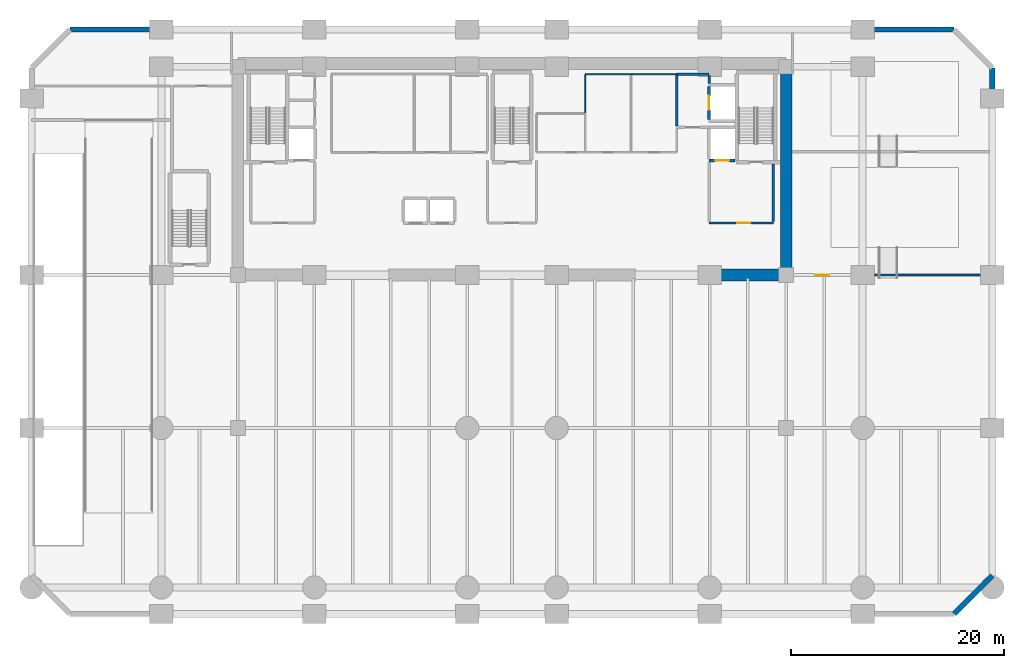
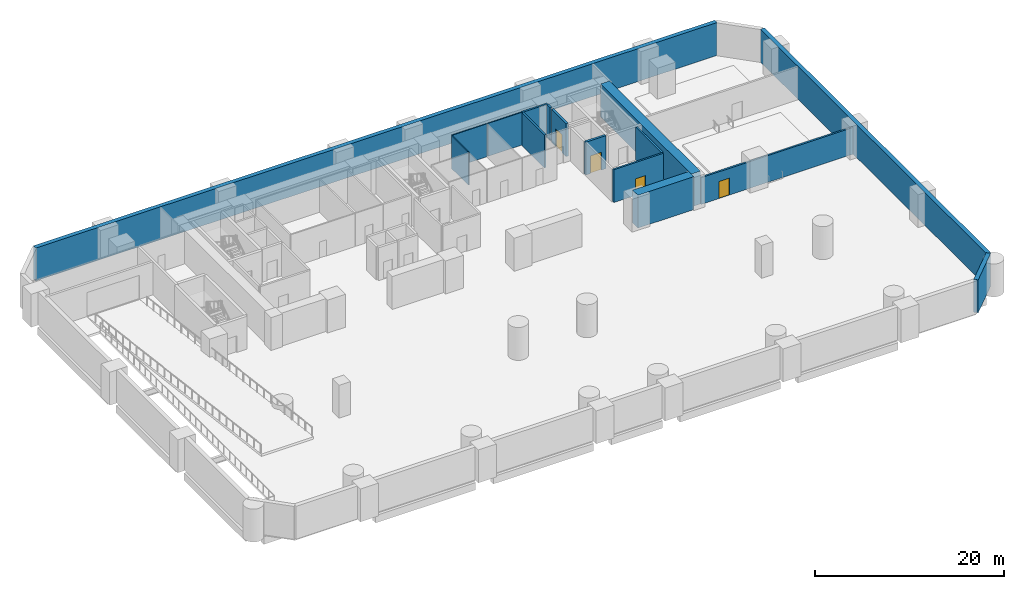
# One storey, part 5 of 9: 16 walls, 4 doors, 4 openings.
"""IFC4 building model written with IfcOpenShell, lengths in metres."""

import ifcopenshell
import ifcopenshell.guid

model = None  # the IFC model being written
_history = None  # IfcOwnerHistory: only IFC2X3 demands one
_inside = {}  # id of a spatial element -> (the spatial element, [elements in it])
_under = {}  # id of a project, library or spatial element -> (it, [spatial elements below it])
_declared = {}  # id of a project -> (the project, [libraries it declares])
_typed = {}  # id of a type object -> (the type object, [elements of that type])
_made_of = {}  # id of a material, layer set ... -> (it, [elements and type objects made of it])


def new_model(schema):
    """Start an empty IFC model of exactly this schema.

    Asked for "IFC4X3", IfcOpenShell would pick the latest addendum, in which some entities
    have other attributes; the version numbers below select the first issue.
    IFC2X3 requires an IfcOwnerHistory on every rooted entity: one is made here for all.
    """
    global model, _history
    if schema == "IFC4X3":
        model = ifcopenshell.file(schema_version=(4, 3, 0, 0))
    else:
        model = ifcopenshell.file(schema=schema)
    _inside.clear()
    _under.clear()
    _declared.clear()
    _typed.clear()
    _made_of.clear()
    _history = None
    if model.schema == "IFC2X3":
        org = make("IfcOrganization", Name="unknown")
        user = make(
            "IfcPersonAndOrganization",
            ThePerson=make("IfcPerson", FamilyName="unknown"),
            TheOrganization=org,
        )
        app = make(
            "IfcApplication",
            ApplicationDeveloper=org,
            Version="unknown",
            ApplicationFullName="unknown",
            ApplicationIdentifier="unknown",
        )
        _history = make(
            "IfcOwnerHistory",
            OwningUser=user,
            OwningApplication=app,
            ChangeAction="ADDED",
            CreationDate=0,
        )
    return model


def make(cls, **values):
    """One entity of the class cls with the attributes given. An attribute that is None is left unset."""
    return model.create_entity(
        cls, **{name: value for name, value in values.items() if value is not None}
    )


def rooted(cls, **values):
    """An entity with a GlobalId (a new one), such as an element, a storey or a relation."""
    return make(cls, GlobalId=ifcopenshell.guid.new(), OwnerHistory=_history, **values)


def si_unit(unit_type, name, prefix=None):
    """IfcSIUnit, for example si_unit("LENGTHUNIT", "METRE", prefix="MILLI")."""
    return make("IfcSIUnit", UnitType=unit_type, Prefix=prefix, Name=name)


def assignment(units):
    """IfcUnitAssignment: the units of a project."""
    return None if units is None else make("IfcUnitAssignment", Units=units)


def point(xyz):
    """IfcCartesianPoint."""
    return None if xyz is None else make("IfcCartesianPoint", Coordinates=xyz)


def direction(xyz):
    """IfcDirection."""
    return None if xyz is None else make("IfcDirection", DirectionRatios=xyz)


def frame(location, z_axis=None, x_axis=None):
    """IfcAxis2Placement3D, a coordinate frame: its origin and axes. An axis left out is left unset."""
    return make(
        "IfcAxis2Placement3D",
        Location=point(location),
        Axis=direction(z_axis),
        RefDirection=direction(x_axis),
    )


def frame_2d(location, x_axis=None):
    """IfcAxis2Placement2D, a coordinate frame in the plane: its origin and x axis."""
    return make(
        "IfcAxis2Placement2D", Location=point(location), RefDirection=direction(x_axis)
    )


def origin():
    """The frame at (0, 0, 0) with its axes left unset."""
    return frame((0.0, 0.0, 0.0))


def place(relative_to, where):
    """IfcLocalPlacement: puts the frame where relative to a parent placement (None: the world)."""
    return make(
        "IfcLocalPlacement", PlacementRelTo=relative_to, RelativePlacement=where
    )


def context(
    kind, dimensions, precision=None, world=None, true_north=None, identifier=None
):
    """IfcGeometricRepresentationContext, for example the 3D "Model" context."""
    return make(
        "IfcGeometricRepresentationContext",
        ContextIdentifier=identifier,
        ContextType=kind,
        CoordinateSpaceDimension=dimensions,
        Precision=precision,
        WorldCoordinateSystem=world,
        TrueNorth=true_north,
    )


def subcontext(parent, identifier, kind, view, scale=None):
    """IfcGeometricRepresentationSubContext, for example "Body" below "Model"."""
    return make(
        "IfcGeometricRepresentationSubContext",
        ContextIdentifier=identifier,
        ContextType=kind,
        ParentContext=parent,
        TargetScale=scale,
        TargetView=view,
    )


def project(units=None, contexts=None):
    """IfcProject with its units and contexts."""
    return rooted(
        "IfcProject",
        Name="project",
        RepresentationContexts=contexts,
        UnitsInContext=assignment(units),
    )


def spatial(cls, under=None, at=None, **own):
    """A site, building, storey or space (cls), placed at a placement, below another one or the project."""
    s = rooted(cls, ObjectPlacement=at, **own)
    if under is not None:
        _under.setdefault(under.id(), (under, []))[1].append(s)
    return s


def profile(cls, at=None, kind="AREA", **sizes):
    """A parametric profile (cls). Its sizes go by their IFC names, for example OverallWidth=200.0."""
    return make(cls, ProfileType=kind, Position=at, **sizes)


def rectangle(**sizes):
    """IfcRectangleProfileDef."""
    return profile("IfcRectangleProfileDef", **sizes)


def extrude(swept, where, along, depth):
    """IfcExtrudedAreaSolid: the profile swept, set in the frame where, extruded along a direction by depth."""
    return make(
        "IfcExtrudedAreaSolid",
        SweptArea=swept,
        Position=where,
        ExtrudedDirection=direction(along),
        Depth=depth,
    )


def shape(context_of_items, identifier, shape_type, items):
    """IfcShapeRepresentation: the items that make up one representation, for example the "Body"."""
    return make(
        "IfcShapeRepresentation",
        ContextOfItems=context_of_items,
        RepresentationIdentifier=identifier,
        RepresentationType=shape_type,
        Items=items,
    )


def material(Name=None, Category=None):
    """IfcMaterial."""
    return make("IfcMaterial", Name=Name, Category=Category)


def layer(
    of_material, thickness, ventilated=None, Name=None, Category=None, Priority=None
):
    """IfcMaterialLayer: one layer of a wall or slab, of a material (None: an air gap)."""
    return make(
        "IfcMaterialLayer",
        Material=of_material,
        LayerThickness=thickness,
        IsVentilated=ventilated,
        Name=Name,
        Category=Category,
        Priority=Priority,
    )


def layer_set(layers, Name=None):
    """IfcMaterialLayerSet."""
    return make("IfcMaterialLayerSet", MaterialLayers=layers, LayerSetName=Name)


def made_of(thing, what):
    """Note that an element or type object is made of a material, layer set ...; save() writes the relation."""
    if what is not None:
        _made_of.setdefault(what.id(), (what, []))[1].append(thing)
    return thing


def type_object(cls, material=None, **own):
    """A type object (cls), such as IfcWallType, which elements share."""
    return made_of(rooted(cls, **own), material)


def element(
    cls,
    number,
    at=None,
    inside=None,
    cuts=None,
    type_object=None,
    material=None,
    context=None,
    identifier="Body",
    shape_type=None,
    held_by="IfcProductDefinitionShape",
    body=None,
    shapes=None,
    **own,
):
    """One element of the class cls, such as IfcWall. Its Tag is "e" and its number.

    at: its placement. inside: the storey or other place that contains it. cuts: it is an
    opening in that element (IfcRelVoidsElement). A single representation is given by context,
    identifier, shape_type and body (its items); several are given by shapes. held_by: the class
    of the entity that holds the representations. save() writes the other relations.
    """
    e = rooted(cls, Tag="e%d" % number, ObjectPlacement=at, **own)
    if body is not None:
        shapes = [shape(context, identifier, shape_type, body)]
    if shapes is not None:
        e.Representation = make(held_by, Representations=shapes)
    if inside is not None:
        _inside.setdefault(inside.id(), (inside, []))[1].append(e)
    if cuts is not None:
        rooted(
            "IfcRelVoidsElement", RelatingBuildingElement=cuts, RelatedOpeningElement=e
        )
    if type_object is not None:
        _typed.setdefault(type_object.id(), (type_object, []))[1].append(e)
    return made_of(e, material)


def fill(opening, filler):
    """IfcRelFillsElement: the door or window that sits in an opening."""
    return rooted(
        "IfcRelFillsElement",
        RelatingOpeningElement=opening,
        RelatedBuildingElement=filler,
    )


def aggregate(whole, parts):
    """IfcRelAggregates: a whole, such as a stair, and the parts it consists of."""
    return rooted("IfcRelAggregates", RelatingObject=whole, RelatedObjects=parts)


def save(model, path):
    """Write the relations noted so far, then the file.

    IfcRelAggregates (storeys below a building ...), IfcRelContainedInSpatialStructure (elements
    in a storey), IfcRelDefinesByType, IfcRelAssociatesMaterial and IfcRelDeclares: one each for
    every whole, place, type object, material and project.
    """
    for whole, parts in _under.values():
        aggregate(whole, parts)
    for where, things in _inside.values():
        rooted(
            "IfcRelContainedInSpatialStructure",
            RelatedElements=things,
            RelatingStructure=where,
        )
    for kind, things in _typed.values():
        rooted("IfcRelDefinesByType", RelatedObjects=things, RelatingType=kind)
    for what, things in _made_of.values():
        rooted("IfcRelAssociatesMaterial", RelatedObjects=things, RelatingMaterial=what)
    for by, libraries in _declared.values():
        rooted("IfcRelDeclares", RelatingContext=by, RelatedDefinitions=libraries)
    model.write(path)


model = new_model("IFC4")

# Units and contexts
model_context = context("Model", 3, precision=1e-05, world=origin(), true_north=direction((0.0, 1.0)))
body_context = subcontext(model_context, "Body", "Model", "MODEL_VIEW")
ifc_project = project(units=[si_unit("LENGTHUNIT", "METRE"), si_unit("AREAUNIT", "SQUARE_METRE"), si_unit("VOLUMEUNIT", "CUBIC_METRE"), si_unit("PLANEANGLEUNIT", "RADIAN"), si_unit("MASSUNIT", "GRAM", prefix="KILO")], contexts=[model_context])

# Site, building, storey
site_placement = place(None, origin())
site = spatial("IfcSite", under=ifc_project, at=site_placement, CompositionType="ELEMENT")
building_placement = place(site_placement, origin())
building = spatial("IfcBuilding", under=site, at=building_placement, Name="Kaelvorn Grand Hotel", CompositionType="ELEMENT")
storey_placement = place(building_placement, frame((0.0, 0.0, -4.60009765625)))
storey = spatial("IfcBuildingStorey", under=building, at=storey_placement, Name="B01", CompositionType="ELEMENT", Elevation=-4.60009765625)

# Walls
ifc_material_1 = material(Name="Concrete C80/95", Category="concrete")
ifc_layer_1 = layer(ifc_material_1, 1.10009765625)
ifc_layer_set_1 = layer_set([ifc_layer_1], Name="Concrete C80/95")
wall_type_1 = type_object("IfcWallType", Name="WL-CORE-1100-C80", PredefinedType="SHEAR", material=ifc_layer_set_1)
wall_1_placement = place(storey_placement, frame((67.800048828125, 29.39990234375, 0.0), z_axis=(0.0, 0.0, 1.0), x_axis=(0.0, 1.0, 0.0)))
element("IfcWall", 1, at=wall_1_placement, inside=storey, type_object=wall_type_1, Name="B01 Rear-Core East Shear Wall", PredefinedType="SHEAR", context=body_context, shape_type="SweptSolid", body=[
    extrude(rectangle(XDim=19.2001953125, YDim=1.10009765625, at=frame_2d((9.60009765625, 0.0))), origin(), (0.0, 0.0, 1.0), 4.25),
])
wall_2_placement = place(storey_placement, frame((60.39990234375, 29.39990234375, 0.0), z_axis=(0.0, 0.0, 1.0), x_axis=(1.0, 0.0, 0.0)))
element("IfcWall", 2, at=wall_2_placement, inside=storey, type_object=wall_type_1, Name="B01 Rear-Core Coupled Shear Pier S4", PredefinedType="SHEAR", context=body_context, shape_type="SweptSolid", body=[
    extrude(rectangle(XDim=6.84521484375, YDim=1.10009765625, at=frame_2d((3.422607421875, 0.0))), origin(), (0.0, 0.0, 1.0), 4.25),
])
ifc_material_2 = material(Name="Moisture-Resistant Tile & Stud Board")
ifc_layer_2 = layer(ifc_material_2, 0.125)
ifc_layer_set_2 = layer_set([ifc_layer_2], Name="Moisture-Resistant Tile & Stud Board")
wall_type_2 = type_object("IfcWallType", Name="WL-PART-125-WET", PredefinedType="PARTITIONING", material=ifc_layer_set_2)
wall_3_placement = place(storey_placement, frame((48.89990234375, 48.300048828125, 0.0), z_axis=(0.0, 0.0, 1.0), x_axis=(1.0, 0.0, 0.0)))
element("IfcWall", 3, at=wall_3_placement, inside=storey, type_object=wall_type_2, Name="B01 Male Public Toilets N Partition", PredefinedType="PARTITIONING", context=body_context, shape_type="SweptSolid", body=[
    extrude(rectangle(XDim=4.300048828125, YDim=0.125, at=frame_2d((2.14990234375, 0.0))), origin(), (0.0, 0.0, 1.0), 4.25),
])
wall_4_placement = place(storey_placement, frame((48.89990234375, 44.66748046875, 0.0), z_axis=(0.0, 0.0, 1.0), x_axis=(0.0, 1.0, 0.0)))
element("IfcWall", 4, at=wall_4_placement, inside=storey, type_object=wall_type_2, Name="B01 Male Public Toilets W Partition", PredefinedType="PARTITIONING", context=body_context, shape_type="SweptSolid", body=[
    extrude(rectangle(XDim=3.56494140625, YDim=0.125, at=frame_2d((1.782470703125, 0.0))), origin(), (0.0, 0.0, 1.0), 4.25),
])
wall_5_placement = place(storey_placement, frame((53.267578125, 48.300048828125, 0.0), z_axis=(0.0, 0.0, 1.0), x_axis=(1.0, 0.0, 0.0)))
element("IfcWall", 5, at=wall_5_placement, inside=storey, type_object=wall_type_2, Name="B01 Female Public Toilets N Partition", PredefinedType="PARTITIONING", context=body_context, shape_type="SweptSolid", body=[
    extrude(rectangle(XDim=4.222412109375, YDim=0.125, at=frame_2d((2.111328125, 0.0))), origin(), (0.0, 0.0, 1.0), 4.25),
])

# Wall, opening, door
ifc_material_3 = material(Name="Concrete C40/50", Category="concrete")
ifc_layer_3 = layer(ifc_material_3, 0.219970703125)
ifc_layer_set_3 = layer_set([ifc_layer_3], Name="Concrete C40/50")
wall_type_3 = type_object("IfcWallType", Name="WL-PART-220-EI120", PredefinedType="PARTITIONING", material=ifc_layer_set_3)
wall_6_placement = place(storey_placement, frame((60.550048828125, 34.300048828125, 0.0), z_axis=(0.0, 0.0, 1.0), x_axis=(1.0, 0.0, 0.0)))
wall_6 = element("IfcWall", 6, at=wall_6_placement, inside=storey, type_object=wall_type_3, Name="B01 Firefighting Lift Lobby 2 S Partition", PredefinedType="PARTITIONING", context=body_context, shape_type="SweptSolid", body=[
    extrude(rectangle(XDim=6.050048828125, YDim=0.219970703125, at=frame_2d((3.02490234375, 0.0))), origin(), (0.0, 0.0, 1.0), 4.25),
])
opening_1_placement = place(wall_6_placement, frame((2.64990234375, 0.0, 0.0)))
opening_1 = element("IfcOpeningElement", 7, at=opening_1_placement, cuts=wall_6, Name="Opening DI2", PredefinedType="OPENING", context=body_context, shape_type="SweptSolid", body=[
    extrude(rectangle(XDim=1.199951171875, YDim=2.14990234375, at=frame_2d((0.60009765625, 1.074951171875))), frame((0.0, 0.1201171875, 0.0), z_axis=(0.0, -1.0, 0.0), x_axis=(1.0, 0.0, 0.0)), (0.0, 0.0, 1.0), 0.239990234375),
])
ifc_material_4 = material(Name="Timber Veneer Fire Leaf", Category="wood")
door_type_1 = type_object("IfcDoorType", Name="DR-INT-FFLOB-1200x2150", OperationType="NOTDEFINED", PredefinedType="DOOR", material=ifc_material_4)
door_1_placement = place(opening_1_placement, origin())
door_1 = element("IfcDoor", 8, at=door_1_placement, inside=storey, type_object=door_type_1, Name="B01 Firefighting Lift Lobby 2 Door", OperationType="SINGLE_SWING_LEFT", OverallHeight=2.14990234375, OverallWidth=1.199951171875, PredefinedType="DOOR", context=body_context, shape_type="SweptSolid", body=[
    extrude(rectangle(XDim=1.199951171875, YDim=2.14990234375, at=frame_2d((0.60009765625, 1.074951171875))), frame((0.0, 0.02490234375, 0.0), z_axis=(0.0, -1.0, 0.0), x_axis=(1.0, 0.0, 0.0)), (0.0, 0.0, 1.0), 0.050048828125),
])
fill(opening_1, door_1)

# Walls
wall_7_placement = place(storey_placement, frame((66.60009765625, 34.4150390625, 0.0), z_axis=(0.0, 0.0, 1.0), x_axis=(0.0, 1.0, 0.0)))
element("IfcWall", 9, at=wall_7_placement, inside=storey, type_object=wall_type_3, Name="B01 Firefighting Lift Lobby 2 E Partition", PredefinedType="PARTITIONING", context=body_context, shape_type="SweptSolid", body=[
    extrude(rectangle(XDim=5.429931640625, YDim=0.219970703125, at=frame_2d((2.71484375, 0.0))), origin(), (0.0, 0.0, 1.0), 4.25),
])
wall_8_placement = place(storey_placement, frame((57.5, 48.300048828125, 0.0), z_axis=(0.0, 0.0, 1.0), x_axis=(1.0, 0.0, 0.0)))
element("IfcWall", 10, at=wall_8_placement, inside=storey, type_object=wall_type_3, Name="B01 Service Lift Lobby N Partition", PredefinedType="PARTITIONING", context=body_context, shape_type="SweptSolid", body=[
    extrude(rectangle(XDim=3.050048828125, YDim=0.219970703125, at=frame_2d((1.52490234375, 0.0))), origin(), (0.0, 0.0, 1.0), 4.25),
])
wall_9_placement = place(storey_placement, frame((57.5, 43.4150390625, 0.0), z_axis=(0.0, 0.0, 1.0), x_axis=(0.0, 1.0, 0.0)))
element("IfcWall", 11, at=wall_9_placement, inside=storey, type_object=wall_type_3, Name="B01 Service Lift Lobby W Partition", PredefinedType="PARTITIONING", context=body_context, shape_type="SweptSolid", body=[
    extrude(rectangle(XDim=4.77001953125, YDim=0.219970703125, at=frame_2d((2.385009765625, 0.0))), origin(), (0.0, 0.0, 1.0), 4.25),
])
wall_10_placement = place(storey_placement, frame((60.550048828125, 47.445068359375, 0.0), z_axis=(0.0, 0.0, 1.0), x_axis=(0.0, 1.0, 0.0)))
element("IfcWall", 12, at=wall_10_placement, inside=storey, type_object=wall_type_3, Name="B01 Service Lift Lobby E Partition", PredefinedType="PARTITIONING", context=body_context, shape_type="SweptSolid", body=[
    extrude(rectangle(XDim=0.739990234375, YDim=0.219970703125, at=frame_2d((0.3701171875, 0.0))), origin(), (0.0, 0.0, 1.0), 4.25),
])

# Wall, opening, door
wall_11_placement = place(storey_placement, frame((68.39990234375, 29.39990234375, 0.0), z_axis=(0.0, 0.0, 1.0), x_axis=(1.0, 0.0, 0.0)))
wall_11 = element("IfcWall", 13, at=wall_11_placement, inside=storey, type_object=wall_type_3, Name="B01 Dual 11kV Electrical Substation & Switchroom S Partition", PredefinedType="PARTITIONING", context=body_context, shape_type="SweptSolid", body=[
    extrude(rectangle(XDim=18.545166015625, YDim=0.219970703125, at=frame_2d((9.2724609375, 0.0))), origin(), (0.0, 0.0, 1.0), 3.4501953125),
])
opening_2_placement = place(wall_11_placement, frame((2.14990234375, 0.0, 0.0)))
opening_2 = element("IfcOpeningElement", 14, at=opening_2_placement, cuts=wall_11, Name="Opening DI6", PredefinedType="OPENING", context=body_context, shape_type="SweptSolid", body=[
    extrude(rectangle(XDim=1.300048828125, YDim=2.199951171875, at=frame_2d((0.64990234375, 1.10009765625))), frame((0.0, 0.1201171875, 0.0), z_axis=(0.0, -1.0, 0.0), x_axis=(1.0, 0.0, 0.0)), (0.0, 0.0, 1.0), 0.239990234375),
])
ifc_material_5 = material(Name="Powder-Coated Steel Leaf", Category="steel")
door_type_2 = type_object("IfcDoorType", Name="DR-INT-PLANT-1300x2200", OperationType="DOUBLE_DOOR_SINGLE_SWING", PredefinedType="DOOR", material=ifc_material_5)
door_2_placement = place(opening_2_placement, origin())
door_2 = element("IfcDoor", 15, at=door_2_placement, inside=storey, type_object=door_type_2, Name="B01 Dual 11kV Electrical Substation & Switchroom Door", OperationType="DOUBLE_DOOR_SINGLE_SWING", OverallHeight=2.199951171875, OverallWidth=1.300048828125, PredefinedType="DOOR", context=body_context, shape_type="SweptSolid", body=[
    extrude(rectangle(XDim=1.300048828125, YDim=2.199951171875, at=frame_2d((0.64990234375, 1.10009765625))), frame((0.0, 0.02490234375, 0.0), z_axis=(0.0, -1.0, 0.0), x_axis=(1.0, 0.0, 0.0)), (0.0, 0.0, 1.0), 0.050048828125),
])
fill(opening_2, door_2)

# Walls
ifc_material_6 = material(Name="Concrete C50/60", Category="concrete")
ifc_layer_4 = layer(ifc_material_6, 0.5)
ifc_layer_set_4 = layer_set([ifc_layer_4], Name="Concrete C50/60")
wall_type_4 = type_object("IfcWallType", Name="WL-RET-500-C50", PredefinedType="USERDEFINED", material=ifc_layer_set_4)
wall_12_placement = place(storey_placement, frame((83.60009765625, -2.5, 0.0), z_axis=(0.0, 0.0, 1.0), x_axis=(0.707082803744, 0.707130757816, 0.0)))
element("IfcWall", 16, at=wall_12_placement, inside=storey, type_object=wall_type_4, Name="B01 Perimeter Tanked Retaining Wall 02", ObjectType="RETAININGWALL", PredefinedType="USERDEFINED", context=body_context, shape_type="SweptSolid", body=[
    extrude(rectangle(XDim=5.091064453125, YDim=0.5, at=frame_2d((2.54541015625, 0.0))), origin(), (0.0, 0.0, 1.0), 4.25),
])
wall_13_placement = place(storey_placement, frame((87.199951171875, 1.10009765625, 0.0), z_axis=(0.0, 0.0, 1.0), x_axis=(0.0, 1.0, 0.0)))
element("IfcWall", 17, at=wall_13_placement, inside=storey, type_object=wall_type_4, Name="B01 Perimeter Tanked Retaining Wall 03", ObjectType="RETAININGWALL", PredefinedType="USERDEFINED", context=body_context, shape_type="SweptSolid", body=[
    extrude(rectangle(XDim=47.7998046875, YDim=0.5, at=frame_2d((23.89990234375, 0.0))), origin(), (0.0, 0.0, 1.0), 4.25),
])
wall_14_placement = place(storey_placement, frame((83.60009765625, 52.5, 0.0), z_axis=(0.0, 0.0, 1.0), x_axis=(-1.0, 0.0, 0.0)))
element("IfcWall", 18, at=wall_14_placement, inside=storey, type_object=wall_type_4, Name="B01 Perimeter Tanked Retaining Wall 05", ObjectType="RETAININGWALL", PredefinedType="USERDEFINED", context=body_context, shape_type="SweptSolid", body=[
    extrude(rectangle(XDim=83.2001953125, YDim=0.5, at=frame_2d((41.60009765625, 0.0))), origin(), (0.0, 0.0, 1.0), 4.25),
])

# Wall, opening, door
ifc_layer_5 = layer(ifc_material_6, 0.280029296875)
ifc_layer_set_5 = layer_set([ifc_layer_5], Name="Concrete C50/60")
wall_type_5 = type_object("IfcWallType", Name="WL-SHAFT-280-C50", PredefinedType="SHEAR", material=ifc_layer_set_5)
wall_15_placement = place(storey_placement, frame((60.550048828125, 40.199951171875, 0.0), z_axis=(0.0, 0.0, 1.0), x_axis=(1.0, 0.0, 0.0)))
wall_15 = element("IfcWall", 19, at=wall_15_placement, inside=storey, type_object=wall_type_5, Name="B01 Lift FFL2 Shaft South Wall", PredefinedType="SHEAR", context=body_context, shape_type="SweptSolid", body=[
    extrude(rectangle(XDim=2.4150390625, YDim=0.280029296875, at=frame_2d((1.20751953125, 0.0))), origin(), (0.0, 0.0, 1.0), 4.25),
])
opening_3_placement = place(wall_15_placement, frame((0.574951171875, 0.0, 0.0)))
opening_3 = element("IfcOpeningElement", 20, at=opening_3_placement, cuts=wall_15, Name="Opening LD-FFL2", PredefinedType="OPENING", context=body_context, shape_type="SweptSolid", body=[
    extrude(rectangle(XDim=1.300048828125, YDim=2.300048828125, at=frame_2d((0.64990234375, 1.14990234375))), frame((0.0, 0.14990234375, 0.0), z_axis=(0.0, -1.0, 0.0), x_axis=(1.0, 0.0, 0.0)), (0.0, 0.0, 1.0), 0.300048828125),
])
ifc_material_7 = material(Name="Stainless Steel", Category="steel")
door_type_3 = type_object("IfcDoorType", Name="DR-LIFT-SERV-1300x2300", OperationType="DOUBLE_DOOR_SLIDING", PredefinedType="DOOR", material=ifc_material_7)
door_3_placement = place(opening_3_placement, origin())
door_3 = element("IfcDoor", 21, at=door_3_placement, inside=storey, type_object=door_type_3, Name="B01 Lift FFL2 Sliding Landing Door LD-FFL2", OperationType="DOUBLE_DOOR_SLIDING", OverallHeight=2.300048828125, OverallWidth=1.300048828125, PredefinedType="DOOR", context=body_context, shape_type="SweptSolid", body=[
    extrude(rectangle(XDim=1.300048828125, YDim=2.300048828125, at=frame_2d((0.64990234375, 1.14990234375))), frame((0.0, 0.02490234375, 0.0), z_axis=(0.0, -1.0, 0.0), x_axis=(1.0, 0.0, 0.0)), (0.0, 0.0, 1.0), 0.050048828125),
])
fill(opening_3, door_3)

wall_16_placement = place(storey_placement, frame((60.550048828125, 44.044921875, 0.0), z_axis=(0.0, 0.0, 1.0), x_axis=(0.0, 1.0, 0.0)))
wall_16 = element("IfcWall", 22, at=wall_16_placement, inside=storey, type_object=wall_type_5, Name="B01 Lift SV1 Shaft West Wall", PredefinedType="SHEAR", context=body_context, shape_type="SweptSolid", body=[
    extrude(rectangle(XDim=3.110107421875, YDim=0.280029296875, at=frame_2d((1.55517578125, 0.0))), origin(), (0.0, 0.0, 1.0), 4.25),
])
opening_4_placement = place(wall_16_placement, frame((0.905029296875, 0.0, 0.0)))
opening_4 = element("IfcOpeningElement", 23, at=opening_4_placement, cuts=wall_16, Name="Opening LD-SV1", PredefinedType="OPENING", context=body_context, shape_type="SweptSolid", body=[
    extrude(rectangle(XDim=1.300048828125, YDim=2.300048828125, at=frame_2d((0.64990234375, 1.14990234375))), frame((0.0, 0.14990234375, 0.0), z_axis=(0.0, -1.0, 0.0), x_axis=(1.0, 0.0, 0.0)), (0.0, 0.0, 1.0), 0.300048828125),
])
door_4_placement = place(opening_4_placement, origin())
door_4 = element("IfcDoor", 24, at=door_4_placement, inside=storey, type_object=door_type_3, Name="B01 Lift SV1 Sliding Landing Door LD-SV1", OperationType="DOUBLE_DOOR_SLIDING", OverallHeight=2.300048828125, OverallWidth=1.300048828125, PredefinedType="DOOR", context=body_context, shape_type="SweptSolid", body=[
    extrude(rectangle(XDim=1.300048828125, YDim=2.300048828125, at=frame_2d((0.64990234375, 1.14990234375))), frame((0.0, 0.02490234375, 0.0), z_axis=(0.0, -1.0, 0.0), x_axis=(1.0, 0.0, 0.0)), (0.0, 0.0, 1.0), 0.050048828125),
])
fill(opening_4, door_4)

save(model, "model.ifc")
